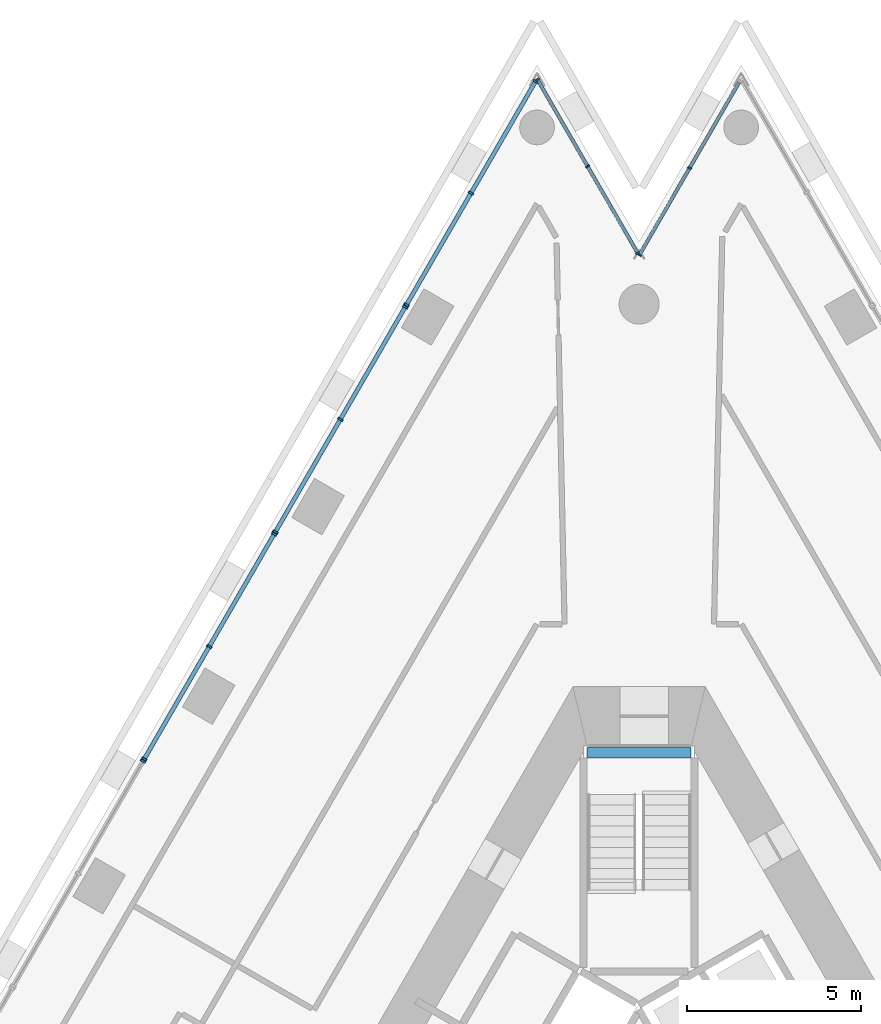
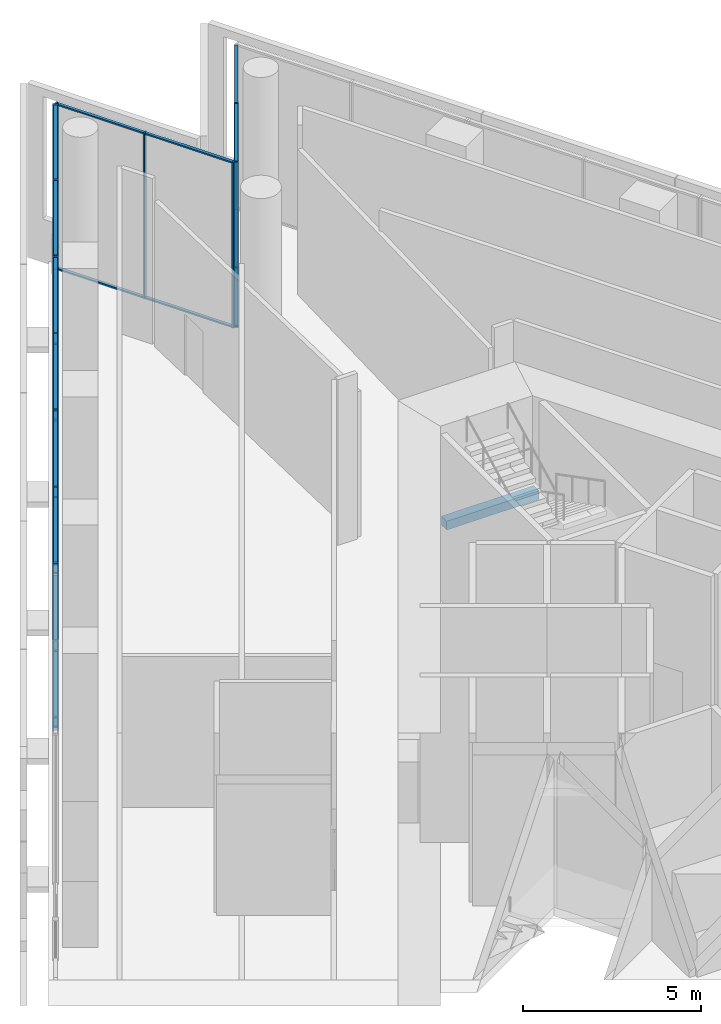
# One storey, part 7 of 18: 35 members, 1 beam, 6 elements without a shape of their own.
"""IFC4 building model written with IfcOpenShell, lengths in metres."""

from ifc_helpers import new_model, si_unit, direction, frame, origin, origin_2d, place, context, subcontext, project, spatial, rectangle, extrude, material, layer, layer_set, material_profile, profile_set, type_object, element, aggregate, save


model = new_model("IFC4")

# Units and contexts
model_context = context("Model", 3, precision=1e-05, world=origin(), true_north=direction((0.0, 1.0)))
body_context = subcontext(model_context, "Body", "Model", "MODEL_VIEW")
ifc_project = project(units=[si_unit("LENGTHUNIT", "METRE"), si_unit("AREAUNIT", "SQUARE_METRE"), si_unit("VOLUMEUNIT", "CUBIC_METRE"), si_unit("PLANEANGLEUNIT", "RADIAN"), si_unit("MASSUNIT", "GRAM", prefix="KILO")], contexts=[model_context])

# Site, building, storey
site_placement = place(None, origin())
site = spatial("IfcSite", under=ifc_project, at=site_placement, CompositionType="ELEMENT")
building_placement = place(site_placement, origin())
building = spatial("IfcBuilding", under=site, at=building_placement, Name="Triada Interchange Tower", CompositionType="ELEMENT")
storey_placement = place(building_placement, frame((0.0, 0.0, 185.300048828125)))
storey = spatial("IfcBuildingStorey", under=building, at=storey_placement, Name="L43", CompositionType="ELEMENT", Elevation=185.300048828125)

# Beam
ifc_material_1 = material(Name="Concrete C35/45", Category="concrete")
ifc_material_profile_1 = material_profile(ifc_material_1, rectangle(XDim=0.300048828125, YDim=0.300048828125, at=origin_2d()), Name="RC 300x300")
ifc_profile_set_1 = profile_set([ifc_material_profile_1], Name="Concrete C35/45")
beam_type = type_object("IfcBeamType", Name="Landing support beam RC 300x300", PredefinedType="BEAM", material=ifc_profile_set_1)
beam_placement = place(storey_placement, frame((1.5, 12.800048828125, 2.491943359375), z_axis=(-1.0, 0.0, 0.0), x_axis=(0.0, -1.0, 0.0)))
element("IfcBeam", 1, at=beam_placement, inside=storey, type_object=beam_type, Name="Landing support beam S43-1 1", PredefinedType="BEAM", context=body_context, shape_type="SweptSolid", body=[
    extrude(rectangle(XDim=0.300048828125, YDim=0.300048828125, at=origin_2d()), origin(), (0.0, 0.0, 1.0), 3.0),
])

# Curtain wall, members
ifc_material_2 = material(Name="Aluminium framed glazing", Category="aluminium")
ifc_layer_1 = layer(ifc_material_2, 0.199951171875)
ifc_layer_set_1 = layer_set([ifc_layer_1], Name="Curtain wall Sky lobby glazing")
curtain_wall_type_1 = type_object("IfcCurtainWallType", Name="Curtain wall Sky lobby glazing", PredefinedType="NOTDEFINED", material=ifc_layer_set_1)
curtain_wall_1_placement = place(storey_placement, origin())
curtain_wall_1 = element("IfcCurtainWall", 2, at=curtain_wall_1_placement, inside=storey, type_object=curtain_wall_type_1, Name="Sky lobby glazing CW101 L43", PredefinedType="NOTDEFINED")
ifc_material_3 = material(Name="Aluminium", Category="aluminium")
ifc_material_profile_2 = material_profile(ifc_material_3, rectangle(XDim=0.159912109375, YDim=0.06005859375, at=origin_2d()), Name="Aluminium mullion")
ifc_profile_set_2 = profile_set([ifc_material_profile_2], Name="Aluminium")
member_type_1 = type_object("IfcMemberType", Name="Mullion Sky lobby glazing 160x60", PredefinedType="MULLION", material=ifc_profile_set_2)
member_1_placement = place(storey_placement, frame((-2.98193359375, 32.116943359375, 0.0), z_axis=(0.0, 0.0, 1.0), x_axis=(0.866005284359, -0.500034846248, 0.0)))
member_1 = element("IfcMember", 3, at=member_1_placement, type_object=member_type_1, Name="CW101 mullion 1", PredefinedType="MULLION", context=body_context, shape_type="SweptSolid", body=[
    extrude(rectangle(XDim=0.159912109375, YDim=0.06005859375, at=origin_2d()), origin(), (0.0, 0.0, 1.0), 5.699951171875),
])
member_2_placement = place(storey_placement, frame((-4.83740234375, 28.903564453125, 0.0), z_axis=(0.0, 0.0, 1.0), x_axis=(0.866005284359, -0.500034846248, 0.0)))
member_2 = element("IfcMember", 4, at=member_2_placement, type_object=member_type_1, Name="CW101 mullion 2", PredefinedType="MULLION", context=body_context, shape_type="SweptSolid", body=[
    extrude(rectangle(XDim=0.159912109375, YDim=0.06005859375, at=origin_2d()), origin(), (0.0, 0.0, 1.0), 5.699951171875),
])
member_3_placement = place(storey_placement, frame((-6.693115234375, 25.68994140625, 0.0), z_axis=(0.0, 0.0, 1.0), x_axis=(0.866005284359, -0.500034846248, 0.0)))
member_3 = element("IfcMember", 5, at=member_3_placement, type_object=member_type_1, Name="CW101 mullion 3", PredefinedType="MULLION", context=body_context, shape_type="SweptSolid", body=[
    extrude(rectangle(XDim=0.159912109375, YDim=0.06005859375, at=origin_2d()), origin(), (0.0, 0.0, 1.0), 5.699951171875),
])

curtain_wall_2_placement = place(storey_placement, origin())
curtain_wall_2 = element("IfcCurtainWall", 6, at=curtain_wall_2_placement, inside=storey, type_object=curtain_wall_type_1, Name="Sky lobby glazing CW102 L43", PredefinedType="NOTDEFINED")
member_4_placement = place(storey_placement, frame((-6.72802734375, 25.62890625, 0.0), z_axis=(0.0, 0.0, 1.0), x_axis=(0.866046386007, -0.499963655963, 0.0)))
member_4 = element("IfcMember", 7, at=member_4_placement, type_object=member_type_1, Name="CW102 mullion 1", PredefinedType="MULLION", context=body_context, shape_type="SweptSolid", body=[
    extrude(rectangle(XDim=0.159912109375, YDim=0.06005859375, at=origin_2d()), origin(), (0.0, 0.0, 1.0), 5.699951171875),
])
member_5_placement = place(storey_placement, frame((-8.596923828125, 22.3916015625, 0.0), z_axis=(0.0, 0.0, 1.0), x_axis=(0.866046386007, -0.499963655963, 0.0)))
member_5 = element("IfcMember", 8, at=member_5_placement, type_object=member_type_1, Name="CW102 mullion 2", PredefinedType="MULLION", context=body_context, shape_type="SweptSolid", body=[
    extrude(rectangle(XDim=0.159912109375, YDim=0.06005859375, at=origin_2d()), origin(), (0.0, 0.0, 1.0), 5.699951171875),
])
member_6_placement = place(storey_placement, frame((-10.466064453125, 19.154052734375, 0.0), z_axis=(0.0, 0.0, 1.0), x_axis=(0.866046386007, -0.499963655963, 0.0)))
member_6 = element("IfcMember", 9, at=member_6_placement, type_object=member_type_1, Name="CW102 mullion 3", PredefinedType="MULLION", context=body_context, shape_type="SweptSolid", body=[
    extrude(rectangle(XDim=0.159912109375, YDim=0.06005859375, at=origin_2d()), origin(), (0.0, 0.0, 1.0), 5.699951171875),
])

curtain_wall_3_placement = place(storey_placement, origin())
curtain_wall_3 = element("IfcCurtainWall", 10, at=curtain_wall_3_placement, inside=storey, type_object=curtain_wall_type_1, Name="Sky lobby glazing CW103 L43", PredefinedType="NOTDEFINED")
member_7_placement = place(storey_placement, frame((-10.5009765625, 19.093017578125, 0.0), z_axis=(0.0, 0.0, 1.0), x_axis=(0.865955748255, -0.500120627513, 0.0)))
member_7 = element("IfcMember", 11, at=member_7_placement, type_object=member_type_1, Name="CW103 mullion 1", PredefinedType="MULLION", context=body_context, shape_type="SweptSolid", body=[
    extrude(rectangle(XDim=0.159912109375, YDim=0.06005859375, at=origin_2d()), origin(), (0.0, 0.0, 1.0), 5.699951171875),
])
member_8_placement = place(storey_placement, frame((-12.37060546875, 15.85595703125, 0.0), z_axis=(0.0, 0.0, 1.0), x_axis=(0.865955748255, -0.500120627513, 0.0)))
member_8 = element("IfcMember", 12, at=member_8_placement, type_object=member_type_1, Name="CW103 mullion 2", PredefinedType="MULLION", context=body_context, shape_type="SweptSolid", body=[
    extrude(rectangle(XDim=0.159912109375, YDim=0.06005859375, at=origin_2d()), origin(), (0.0, 0.0, 1.0), 5.699951171875),
])
member_9_placement = place(storey_placement, frame((-14.239990234375, 12.618896484375, 0.0), z_axis=(0.0, 0.0, 1.0), x_axis=(0.865955748255, -0.500120627513, 0.0)))
member_9 = element("IfcMember", 13, at=member_9_placement, type_object=member_type_1, Name="CW103 mullion 3", PredefinedType="MULLION", context=body_context, shape_type="SweptSolid", body=[
    extrude(rectangle(XDim=0.159912109375, YDim=0.06005859375, at=origin_2d()), origin(), (0.0, 0.0, 1.0), 5.699951171875),
])

# Curtain wall, member
curtain_wall_4_placement = place(storey_placement, origin())
curtain_wall_4 = element("IfcCurtainWall", 14, at=curtain_wall_4_placement, inside=storey, type_object=curtain_wall_type_1, Name="Sky lobby glazing CW104 L43", PredefinedType="NOTDEFINED")
member_10_placement = place(storey_placement, frame((-14.27490234375, 12.55810546875, 0.0), z_axis=(0.0, 0.0, 1.0), x_axis=(0.866046386007, -0.499963655963, 0.0)))
member_10 = element("IfcMember", 15, at=member_10_placement, type_object=member_type_1, Name="CW104 mullion 1", PredefinedType="MULLION", context=body_context, shape_type="SweptSolid", body=[
    extrude(rectangle(XDim=0.159912109375, YDim=0.06005859375, at=origin_2d()), origin(), (0.0, 0.0, 1.0), 5.699951171875),
])
aggregate(curtain_wall_4, [member_10])

# Curtain wall, members
ifc_layer_2 = layer(ifc_material_2, 0.199951171875)
ifc_layer_set_2 = layer_set([ifc_layer_2], Name="Curtain wall Winter garden glazing")
curtain_wall_type_2 = type_object("IfcCurtainWallType", Name="Curtain wall Winter garden glazing", PredefinedType="NOTDEFINED", material=ifc_layer_set_2)
curtain_wall_5_placement = place(storey_placement, origin())
curtain_wall_5 = element("IfcCurtainWall", 16, at=curtain_wall_5_placement, inside=storey, type_object=curtain_wall_type_2, Name="Winter garden glazing CW126 L43", PredefinedType="NOTDEFINED")
ifc_material_profile_3 = material_profile(ifc_material_3, rectangle(XDim=0.1201171875, YDim=0.050048828125, at=origin_2d()), Name="Aluminium mullion")
ifc_profile_set_3 = profile_set([ifc_material_profile_3], Name="Aluminium")
member_type_2 = type_object("IfcMemberType", Name="Mullion Winter garden glazing 120x50", PredefinedType="MULLION", material=ifc_profile_set_3)
member_11_placement = place(storey_placement, frame((1.45361328125, 29.62548828125, 0.0), z_axis=(0.0, 0.0, 1.0), x_axis=(0.866022320766, -0.500005339907, 0.0)))
member_11 = element("IfcMember", 17, at=member_11_placement, type_object=member_type_2, Name="CW126 mullion 2", PredefinedType="MULLION", context=body_context, shape_type="SweptSolid", body=[
    extrude(rectangle(XDim=0.1201171875, YDim=0.050048828125, at=origin_2d()), origin(), (0.0, 0.0, 1.0), 5.699951171875),
])
member_12_placement = place(storey_placement, frame((0.012451171875, 27.129638671875, 0.0), z_axis=(0.0, 0.0, 1.0), x_axis=(0.866022320766, -0.500005339907, 0.0)))
member_12 = element("IfcMember", 18, at=member_12_placement, type_object=member_type_2, Name="CW126 mullion 3", PredefinedType="MULLION", context=body_context, shape_type="SweptSolid", body=[
    extrude(rectangle(XDim=0.1201171875, YDim=0.050048828125, at=origin_2d()), origin(), (0.0, 0.0, 1.0), 5.699951171875),
])

curtain_wall_6_placement = place(storey_placement, origin())
curtain_wall_6 = element("IfcCurtainWall", 19, at=curtain_wall_6_placement, inside=storey, type_object=curtain_wall_type_2, Name="Winter garden glazing CW127 L43", PredefinedType="NOTDEFINED")
member_13_placement = place(storey_placement, frame((-0.04248046875, 27.181640625, 0.0), z_axis=(0.0, 0.0, 1.0), x_axis=(-0.866022320766, -0.500005339907, 0.0)))
member_13 = element("IfcMember", 20, at=member_13_placement, type_object=member_type_2, Name="CW127 mullion 1", PredefinedType="MULLION", context=body_context, shape_type="SweptSolid", body=[
    extrude(rectangle(XDim=0.1201171875, YDim=0.050048828125, at=origin_2d()), origin(), (0.0, 0.0, 1.0), 5.699951171875),
])
member_14_placement = place(storey_placement, frame((-1.4833984375, 29.677490234375, 0.0), z_axis=(0.0, 0.0, 1.0), x_axis=(-0.866022320766, -0.500005339907, 0.0)))
member_14 = element("IfcMember", 21, at=member_14_placement, type_object=member_type_2, Name="CW127 mullion 2", PredefinedType="MULLION", context=body_context, shape_type="SweptSolid", body=[
    extrude(rectangle(XDim=0.1201171875, YDim=0.050048828125, at=origin_2d()), origin(), (0.0, 0.0, 1.0), 5.699951171875),
])
member_15_placement = place(storey_placement, frame((-2.924560546875, 32.17333984375, 0.0), z_axis=(0.0, 0.0, 1.0), x_axis=(-0.866022320766, -0.500005339907, 0.0)))
member_15 = element("IfcMember", 22, at=member_15_placement, type_object=member_type_2, Name="CW127 mullion 3", PredefinedType="MULLION", context=body_context, shape_type="SweptSolid", body=[
    extrude(rectangle(XDim=0.1201171875, YDim=0.050048828125, at=origin_2d()), origin(), (0.0, 0.0, 1.0), 5.699951171875),
])

# Member
ifc_material_profile_4 = material_profile(ifc_material_3, rectangle(XDim=0.1201171875, YDim=0.06005859375, at=origin_2d()), Name="Aluminium transom")
ifc_profile_set_4 = profile_set([ifc_material_profile_4], Name="Aluminium")
member_type_3 = type_object("IfcMemberType", Name="Transom Sky lobby glazing 120x60", PredefinedType="USERDEFINED", material=ifc_profile_set_4)
member_16_placement = place(storey_placement, frame((-2.9970703125, 32.091064453125, 0.030029296875), z_axis=(-0.50001574941, -0.866016310667, 0.0), x_axis=(0.866016310667, -0.50001574941, 0.0)))
member_16 = element("IfcMember", 23, at=member_16_placement, type_object=member_type_3, Name="CW101 transom 1.1", ObjectType="TRANSOM", PredefinedType="USERDEFINED", context=body_context, shape_type="SweptSolid", body=[
    extrude(rectangle(XDim=0.1201171875, YDim=0.06005859375, at=origin_2d()), origin(), (0.0, 0.0, 1.0), 3.65087890625),
])

member_17_placement = place(storey_placement, frame((-2.9970703125, 32.091064453125, 5.669921875), z_axis=(-0.50001574941, -0.866016310667, 0.0), x_axis=(0.866016310667, -0.50001574941, 0.0)))
member_17 = element("IfcMember", 24, at=member_17_placement, type_object=member_type_3, Name="CW101 transom 1.2", ObjectType="TRANSOM", PredefinedType="USERDEFINED", context=body_context, shape_type="SweptSolid", body=[
    extrude(rectangle(XDim=0.1201171875, YDim=0.06005859375, at=origin_2d()), origin(), (0.0, 0.0, 1.0), 3.65087890625),
])

member_18_placement = place(storey_placement, frame((-4.8525390625, 28.87744140625, 0.030029296875), z_axis=(-0.500044708641, -0.8659995897, 0.0), x_axis=(0.8659995897, -0.500044708641, 0.0)))
member_18 = element("IfcMember", 25, at=member_18_placement, type_object=member_type_3, Name="CW101 transom 2.1", ObjectType="TRANSOM", PredefinedType="USERDEFINED", context=body_context, shape_type="SweptSolid", body=[
    extrude(rectangle(XDim=0.1201171875, YDim=0.06005859375, at=origin_2d()), origin(), (0.0, 0.0, 1.0), 3.650634765625),
])

member_19_placement = place(storey_placement, frame((-4.8525390625, 28.87744140625, 5.669921875), z_axis=(-0.500044708641, -0.8659995897, 0.0), x_axis=(0.8659995897, -0.500044708641, 0.0)))
member_19 = element("IfcMember", 26, at=member_19_placement, type_object=member_type_3, Name="CW101 transom 2.2", ObjectType="TRANSOM", PredefinedType="USERDEFINED", context=body_context, shape_type="SweptSolid", body=[
    extrude(rectangle(XDim=0.1201171875, YDim=0.06005859375, at=origin_2d()), origin(), (0.0, 0.0, 1.0), 3.650634765625),
])

aggregate(curtain_wall_1, [member_1, member_2, member_3, member_16, member_17, member_18, member_19])

member_20_placement = place(storey_placement, frame((-6.742919921875, 25.60302734375, 0.030029296875), z_axis=(-0.499986743006, -0.866033057578, 0.0), x_axis=(0.866033057578, -0.499986743006, 0.0)))
member_20 = element("IfcMember", 27, at=member_20_placement, type_object=member_type_3, Name="CW102 transom 1.1", ObjectType="TRANSOM", PredefinedType="USERDEFINED", context=body_context, shape_type="SweptSolid", body=[
    extrude(rectangle(XDim=0.1201171875, YDim=0.06005859375, at=origin_2d()), origin(), (0.0, 0.0, 1.0), 3.67822265625),
])

member_21_placement = place(storey_placement, frame((-6.742919921875, 25.60302734375, 5.669921875), z_axis=(-0.499986743006, -0.866033057578, 0.0), x_axis=(0.866033057578, -0.499986743006, 0.0)))
member_21 = element("IfcMember", 28, at=member_21_placement, type_object=member_type_3, Name="CW102 transom 1.2", ObjectType="TRANSOM", PredefinedType="USERDEFINED", context=body_context, shape_type="SweptSolid", body=[
    extrude(rectangle(XDim=0.1201171875, YDim=0.06005859375, at=origin_2d()), origin(), (0.0, 0.0, 1.0), 3.67822265625),
])

member_22_placement = place(storey_placement, frame((-8.612060546875, 22.365478515625, 0.030029296875), z_axis=(-0.499936960004, -0.866061796884, 0.0), x_axis=(0.866061796884, -0.499936960004, 0.0)))
member_22 = element("IfcMember", 29, at=member_22_placement, type_object=member_type_3, Name="CW102 transom 2.1", ObjectType="TRANSOM", PredefinedType="USERDEFINED", context=body_context, shape_type="SweptSolid", body=[
    extrude(rectangle(XDim=0.1201171875, YDim=0.06005859375, at=origin_2d()), origin(), (0.0, 0.0, 1.0), 3.67822265625),
])

member_23_placement = place(storey_placement, frame((-8.612060546875, 22.365478515625, 5.669921875), z_axis=(-0.499936960004, -0.866061796884, 0.0), x_axis=(0.866061796884, -0.499936960004, 0.0)))
member_23 = element("IfcMember", 30, at=member_23_placement, type_object=member_type_3, Name="CW102 transom 2.2", ObjectType="TRANSOM", PredefinedType="USERDEFINED", context=body_context, shape_type="SweptSolid", body=[
    extrude(rectangle(XDim=0.1201171875, YDim=0.06005859375, at=origin_2d()), origin(), (0.0, 0.0, 1.0), 3.67822265625),
])

aggregate(curtain_wall_2, [member_4, member_5, member_6, member_20, member_21, member_22, member_23])

member_24_placement = place(storey_placement, frame((-10.51611328125, 19.067138671875, 0.030029296875), z_axis=(-0.500094008031, -0.865971121419, 0.0), x_axis=(0.865971121419, -0.500094008031, 0.0)))
member_24 = element("IfcMember", 31, at=member_24_placement, type_object=member_type_3, Name="CW103 transom 1.1", ObjectType="TRANSOM", PredefinedType="USERDEFINED", context=body_context, shape_type="SweptSolid", body=[
    extrude(rectangle(XDim=0.1201171875, YDim=0.06005859375, at=origin_2d()), origin(), (0.0, 0.0, 1.0), 3.677978515625),
])

member_25_placement = place(storey_placement, frame((-10.51611328125, 19.067138671875, 5.669921875), z_axis=(-0.500094008031, -0.865971121419, 0.0), x_axis=(0.865971121419, -0.500094008031, 0.0)))
member_25 = element("IfcMember", 32, at=member_25_placement, type_object=member_type_3, Name="CW103 transom 1.2", ObjectType="TRANSOM", PredefinedType="USERDEFINED", context=body_context, shape_type="SweptSolid", body=[
    extrude(rectangle(XDim=0.1201171875, YDim=0.06005859375, at=origin_2d()), origin(), (0.0, 0.0, 1.0), 3.677978515625),
])

member_26_placement = place(storey_placement, frame((-12.385498046875, 15.830078125, 0.030029296875), z_axis=(-0.500143783026, -0.865942374699, 0.0), x_axis=(0.865942374699, -0.500143783026, 0.0)))
member_26 = element("IfcMember", 33, at=member_26_placement, type_object=member_type_3, Name="CW103 transom 2.1", ObjectType="TRANSOM", PredefinedType="USERDEFINED", context=body_context, shape_type="SweptSolid", body=[
    extrude(rectangle(XDim=0.1201171875, YDim=0.06005859375, at=origin_2d()), origin(), (0.0, 0.0, 1.0), 3.67822265625),
])

member_27_placement = place(storey_placement, frame((-12.385498046875, 15.830078125, 5.669921875), z_axis=(-0.500143783026, -0.865942374699, 0.0), x_axis=(0.865942374699, -0.500143783026, 0.0)))
member_27 = element("IfcMember", 34, at=member_27_placement, type_object=member_type_3, Name="CW103 transom 2.2", ObjectType="TRANSOM", PredefinedType="USERDEFINED", context=body_context, shape_type="SweptSolid", body=[
    extrude(rectangle(XDim=0.1201171875, YDim=0.06005859375, at=origin_2d()), origin(), (0.0, 0.0, 1.0), 3.67822265625),
])

aggregate(curtain_wall_3, [member_7, member_8, member_9, member_24, member_25, member_26, member_27])

ifc_material_profile_5 = material_profile(ifc_material_3, rectangle(XDim=0.10009765625, YDim=0.050048828125, at=origin_2d()), Name="Aluminium transom")
ifc_profile_set_5 = profile_set([ifc_material_profile_5], Name="Aluminium")
member_type_4 = type_object("IfcMemberType", Name="Transom Winter garden glazing 100x50", PredefinedType="USERDEFINED", material=ifc_profile_set_5)
member_28_placement = place(storey_placement, frame((2.882080078125, 32.099609375, 0.02490234375), z_axis=(-0.500033399229, -0.866006119872, 0.0), x_axis=(0.866006119872, -0.500033399229, 0.0)))
member_28 = element("IfcMember", 35, at=member_28_placement, type_object=member_type_4, Name="CW126 transom 1.1", ObjectType="TRANSOM", PredefinedType="USERDEFINED", context=body_context, shape_type="SweptSolid", body=[
    extrude(rectangle(XDim=0.10009765625, YDim=0.050048828125, at=origin_2d()), origin(), (0.0, 0.0, 1.0), 2.831787109375),
])

member_29_placement = place(storey_placement, frame((2.882080078125, 32.099609375, 5.675048828125), z_axis=(-0.500033399229, -0.866006119872, 0.0), x_axis=(0.866006119872, -0.500033399229, 0.0)))
member_29 = element("IfcMember", 36, at=member_29_placement, type_object=member_type_4, Name="CW126 transom 1.2", ObjectType="TRANSOM", PredefinedType="USERDEFINED", context=body_context, shape_type="SweptSolid", body=[
    extrude(rectangle(XDim=0.10009765625, YDim=0.050048828125, at=origin_2d()), origin(), (0.0, 0.0, 1.0), 2.831787109375),
])

member_30_placement = place(storey_placement, frame((1.44091796875, 29.603759765625, 0.02490234375), z_axis=(-0.500033399229, -0.866006119872, 0.0), x_axis=(0.866006119872, -0.500033399229, 0.0)))
member_30 = element("IfcMember", 37, at=member_30_placement, type_object=member_type_4, Name="CW126 transom 2.1", ObjectType="TRANSOM", PredefinedType="USERDEFINED", context=body_context, shape_type="SweptSolid", body=[
    extrude(rectangle(XDim=0.10009765625, YDim=0.050048828125, at=origin_2d()), origin(), (0.0, 0.0, 1.0), 2.831787109375),
])

member_31_placement = place(storey_placement, frame((1.44091796875, 29.603759765625, 5.675048828125), z_axis=(-0.500033399229, -0.866006119872, 0.0), x_axis=(0.866006119872, -0.500033399229, 0.0)))
member_31 = element("IfcMember", 38, at=member_31_placement, type_object=member_type_4, Name="CW126 transom 2.2", ObjectType="TRANSOM", PredefinedType="USERDEFINED", context=body_context, shape_type="SweptSolid", body=[
    extrude(rectangle(XDim=0.10009765625, YDim=0.050048828125, at=origin_2d()), origin(), (0.0, 0.0, 1.0), 2.831787109375),
])

aggregate(curtain_wall_5, [member_11, member_12, member_28, member_29, member_30, member_31])

member_32_placement = place(storey_placement, frame((-0.054931640625, 27.203369140625, 0.02490234375), z_axis=(-0.500033399229, 0.866006119872, 0.0), x_axis=(-0.866006119872, -0.500033399229, 0.0)))
member_32 = element("IfcMember", 39, at=member_32_placement, type_object=member_type_4, Name="CW127 transom 1.1", ObjectType="TRANSOM", PredefinedType="USERDEFINED", context=body_context, shape_type="SweptSolid", body=[
    extrude(rectangle(XDim=0.10009765625, YDim=0.050048828125, at=origin_2d()), origin(), (0.0, 0.0, 1.0), 2.831787109375),
])

member_33_placement = place(storey_placement, frame((-0.054931640625, 27.203369140625, 5.675048828125), z_axis=(-0.500033399229, 0.866006119872, 0.0), x_axis=(-0.866006119872, -0.500033399229, 0.0)))
member_33 = element("IfcMember", 40, at=member_33_placement, type_object=member_type_4, Name="CW127 transom 1.2", ObjectType="TRANSOM", PredefinedType="USERDEFINED", context=body_context, shape_type="SweptSolid", body=[
    extrude(rectangle(XDim=0.10009765625, YDim=0.050048828125, at=origin_2d()), origin(), (0.0, 0.0, 1.0), 2.831787109375),
])

member_34_placement = place(storey_placement, frame((-1.49609375, 29.69921875, 0.02490234375), z_axis=(-0.500033399229, 0.866006119872, 0.0), x_axis=(-0.866006119872, -0.500033399229, 0.0)))
member_34 = element("IfcMember", 41, at=member_34_placement, type_object=member_type_4, Name="CW127 transom 2.1", ObjectType="TRANSOM", PredefinedType="USERDEFINED", context=body_context, shape_type="SweptSolid", body=[
    extrude(rectangle(XDim=0.10009765625, YDim=0.050048828125, at=origin_2d()), origin(), (0.0, 0.0, 1.0), 2.831787109375),
])

member_35_placement = place(storey_placement, frame((-1.49609375, 29.69921875, 5.675048828125), z_axis=(-0.500033399229, 0.866006119872, 0.0), x_axis=(-0.866006119872, -0.500033399229, 0.0)))
member_35 = element("IfcMember", 42, at=member_35_placement, type_object=member_type_4, Name="CW127 transom 2.2", ObjectType="TRANSOM", PredefinedType="USERDEFINED", context=body_context, shape_type="SweptSolid", body=[
    extrude(rectangle(XDim=0.10009765625, YDim=0.050048828125, at=origin_2d()), origin(), (0.0, 0.0, 1.0), 2.831787109375),
])

aggregate(curtain_wall_6, [member_13, member_14, member_15, member_32, member_33, member_34, member_35])

save(model, "model.ifc")
